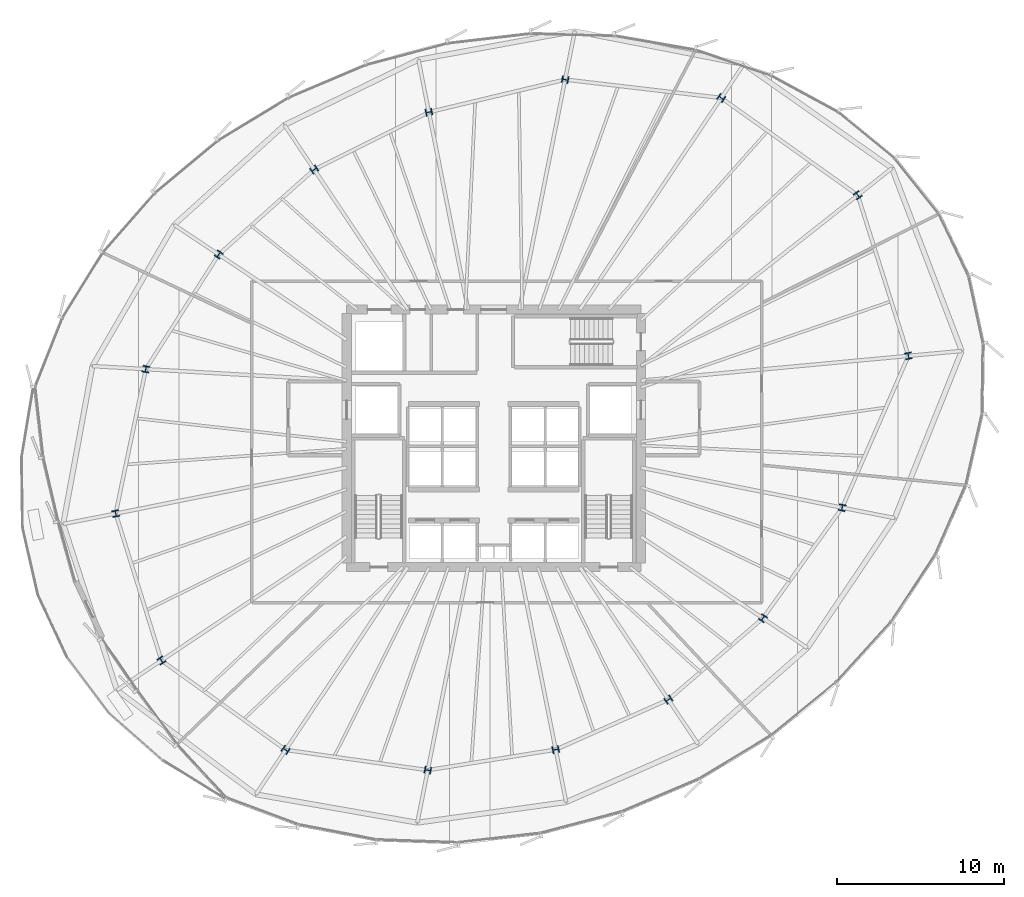
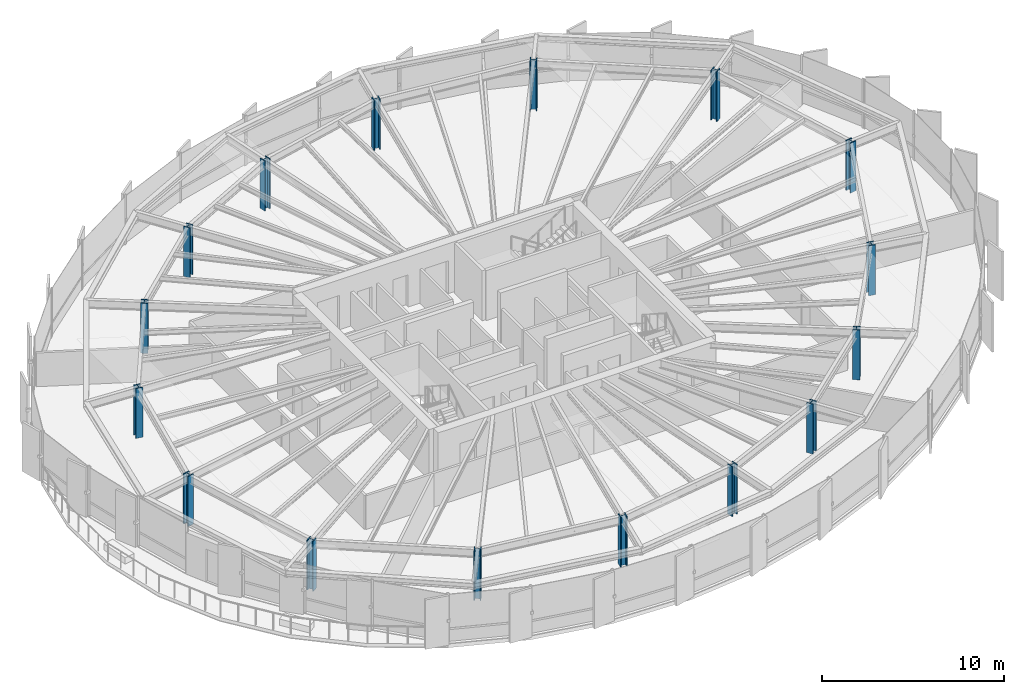
# One storey, part 1 of 33: 16 columns.
"""IFC4 building model written with IfcOpenShell, lengths in metres."""

from ifc_helpers import new_model, si_unit, direction, frame, origin, origin_2d, place, context, subcontext, project, spatial, i_section, extrude, source, transform, mapped, material, material_profile, profile_set, type_object, element, save


model = new_model("IFC4")

# Units and contexts
model_context = context("Model", 3, precision=1e-05, world=origin(), true_north=direction((0.0, 1.0)))
body_context = subcontext(model_context, "Body", "Model", "MODEL_VIEW")
ifc_project = project(units=[si_unit("LENGTHUNIT", "METRE"), si_unit("AREAUNIT", "SQUARE_METRE"), si_unit("VOLUMEUNIT", "CUBIC_METRE"), si_unit("PLANEANGLEUNIT", "RADIAN"), si_unit("MASSUNIT", "GRAM", prefix="KILO"), si_unit("THERMODYNAMICTEMPERATUREUNIT", "KELVIN")], contexts=[model_context])

# Site, building, storey
site_placement = place(None, origin())
site = spatial("IfcSite", under=ifc_project, at=site_placement, CompositionType="ELEMENT")
building_placement = place(site_placement, origin())
building = spatial("IfcBuilding", under=site, at=building_placement, Name="Kethvar Cultural Tower", CompositionType="ELEMENT")
storey_placement = place(building_placement, frame((0.0, 0.0, 110.800048828125)))
storey = spatial("IfcBuildingStorey", under=building, at=storey_placement, Name="L27", CompositionType="ELEMENT", Elevation=110.800048828125)

# Columns
ifc_material = material(Name="Steel S460M", Category="steel")
ifc_material_profile = material_profile(ifc_material, i_section(OverallWidth=0.405029296875, OverallDepth=0.39794921875, WebThickness=0.034912109375, FlangeThickness=0.055908203125, FilletRadius=0.014892578125, at=origin_2d()), Name="Steel S460M — HD400x744")
ifc_profile_set = profile_set([ifc_material_profile], Name="Steel S460M — HD400x744")
column_type = type_object("IfcColumnType", Name="COL-HD744", PredefinedType="COLUMN", material=ifc_profile_set)
shared_shape = source(origin(), body_context, "Body", "SweptSolid", [
    extrude(i_section(OverallWidth=0.405029296875, OverallDepth=0.39794921875, WebThickness=0.034912109375, FlangeThickness=0.055908203125, FilletRadius=0.014892578125, at=origin_2d()), origin(), (0.0, 0.0, 1.0), 3.349853515625),
])
for number, where, z_axis, x_axis, name in (
    (1, (71.6025390625, 32.7333984375, 0.0), (0.0, 0.0, 1.0), (0.980785280403, 0.195090322016, 0.0), "L27 Mega-Column MC-01"),
    (2, (68.568603515625, 42.34521484375, 0.0), (0.0, 0.0, 1.0), (0.831469612303, 0.55557023302, 0.0), "L27 Mega-Column MC-02"),
    (3, (60.40478515625, 48.160888671875, 0.0), (0.0, 0.0, 1.0), (0.55557023302, 0.831469612303, 0.0), "L27 Mega-Column MC-03"),
    (4, (51.068603515625, 49.25927734375, 0.0), (0.0, 0.0, 1.0), (0.195090322016, 0.980785280403, 0.0), "L27 Mega-Column MC-04"),
    (5, (42.9189453125, 47.311279296875, 0.0), (0.0, 0.0, 1.0), (-0.195090322016, 0.980785280403, 0.0), "L27 Mega-Column MC-05"),
    (6, (36.0576171875, 43.877197265625, 0.0), (0.0, 0.0, 1.0), (-0.55557023302, 0.831469612303, 0.0), "L27 Mega-Column MC-06"),
    (7, (30.345947265625, 38.794189453125, 0.0), (0.0, 0.0, 1.0), (-0.831469612303, 0.55557023302, 0.0), "L27 Mega-Column MC-07"),
    (8, (25.988525390625, 31.939697265625, 0.0), (0.0, 0.0, 1.0), (-0.980785280403, 0.195090322016, 0.0), "L27 Mega-Column MC-08"),
    (9, (24.185302734375, 23.3017578125, 0.0), (0.0, 0.0, 1.0), (-0.980785280403, -0.195090322016, 0.0), "L27 Mega-Column MC-09"),
    (10, (26.920654296875, 14.51708984375, 0.0), (0.0, 0.0, 1.0), (-0.831469612303, -0.55557023302, 0.0), "L27 Mega-Column MC-10"),
    (11, (34.350830078125, 9.16845703125, 0.0), (0.0, 0.0, 1.0), (-0.55557023302, -0.831469612303, 0.0), "L27 Mega-Column MC-11"),
    (12, (42.852294921875, 7.95361328125, 0.0), (0.0, 0.0, 1.0), (-0.195090322016, -0.980785280403, 0.0), "L27 Mega-Column MC-12"),
    (13, (50.50341796875, 9.182373046875, 0.0), (0.0, 0.0, 1.0), (0.195090322016, -0.980785280403, 0.0), "L27 Mega-Column MC-13"),
    (14, (57.241943359375, 12.17236328125, 0.0), (0.0, 0.0, 1.0), (0.55557023302, -0.831469612303, 0.0), "L27 Mega-Column MC-14"),
    (15, (62.898681640625, 17.043212890625, 0.0), (0.0, 0.0, 1.0), (0.831469612303, -0.55557023302, 0.0), "L27 Mega-Column MC-15"),
    (16, (67.638671875, 23.65478515625, 0.0), (0.0, 0.0, 1.0), (0.980785280403, -0.195090322016, 0.0), "L27 Mega-Column MC-16"),
):
    element("IfcColumn", number, at=place(storey_placement, frame(where, z_axis=z_axis, x_axis=x_axis)), inside=storey, type_object=column_type, Name=name, PredefinedType="COLUMN", context=body_context, shape_type="MappedRepresentation", body=[
        mapped(shared_shape, transform((0.0, 0.0, 0.0), scale=1.0)),
    ])

save(model, "model.ifc")
